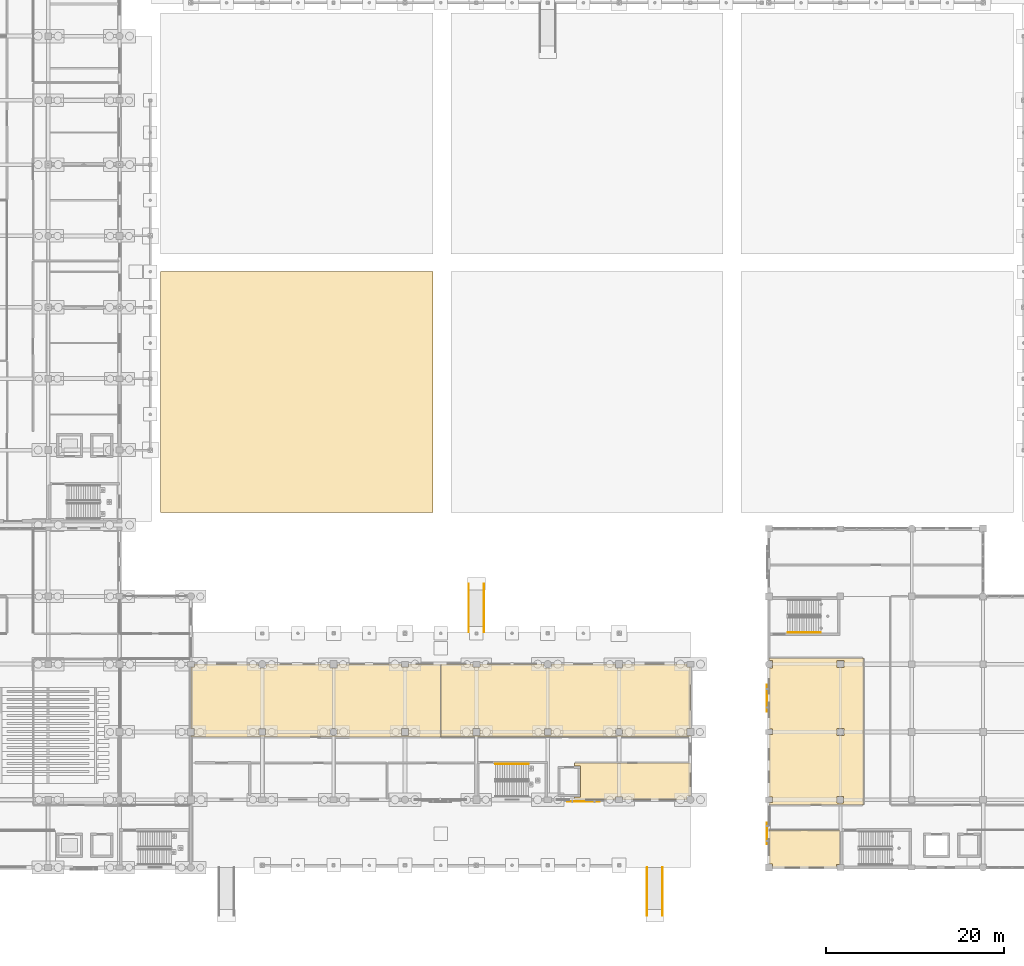
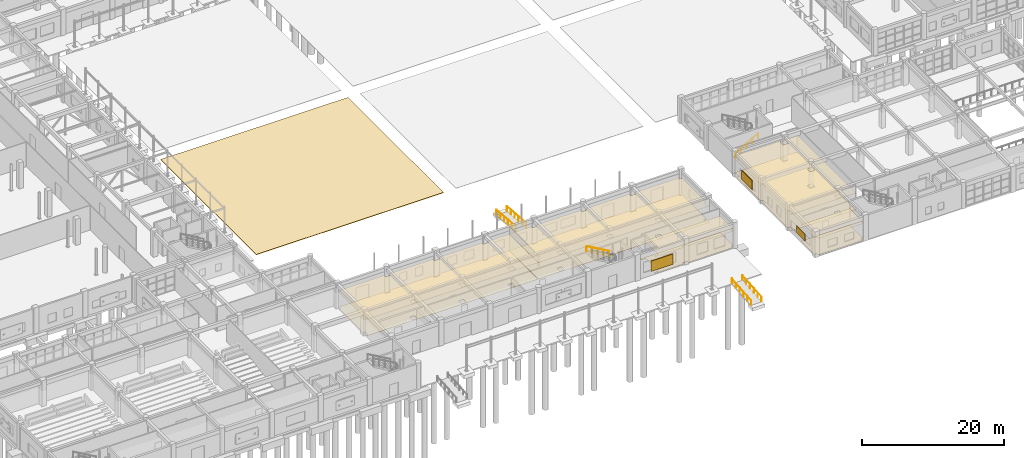
# One storey, part 156 of 166: 11 coverings, 6 railings, 3 shading devices.
"""IFC4 building model written with IfcOpenShell, lengths in metres."""

import ifcopenshell
import ifcopenshell.guid

model = None  # the IFC model being written
_history = None  # IfcOwnerHistory: only IFC2X3 demands one
_inside = {}  # id of a spatial element -> (the spatial element, [elements in it])
_under = {}  # id of a project, library or spatial element -> (it, [spatial elements below it])
_declared = {}  # id of a project -> (the project, [libraries it declares])
_typed = {}  # id of a type object -> (the type object, [elements of that type])
_made_of = {}  # id of a material, layer set ... -> (it, [elements and type objects made of it])


def new_model(schema):
    """Start an empty IFC model of exactly this schema.

    Asked for "IFC4X3", IfcOpenShell would pick the latest addendum, in which some entities
    have other attributes; the version numbers below select the first issue.
    IFC2X3 requires an IfcOwnerHistory on every rooted entity: one is made here for all.
    """
    global model, _history
    if schema == "IFC4X3":
        model = ifcopenshell.file(schema_version=(4, 3, 0, 0))
    else:
        model = ifcopenshell.file(schema=schema)
    _inside.clear()
    _under.clear()
    _declared.clear()
    _typed.clear()
    _made_of.clear()
    _history = None
    if model.schema == "IFC2X3":
        org = make("IfcOrganization", Name="unknown")
        user = make(
            "IfcPersonAndOrganization",
            ThePerson=make("IfcPerson", FamilyName="unknown"),
            TheOrganization=org,
        )
        app = make(
            "IfcApplication",
            ApplicationDeveloper=org,
            Version="unknown",
            ApplicationFullName="unknown",
            ApplicationIdentifier="unknown",
        )
        _history = make(
            "IfcOwnerHistory",
            OwningUser=user,
            OwningApplication=app,
            ChangeAction="ADDED",
            CreationDate=0,
        )
    return model


def make(cls, **values):
    """One entity of the class cls with the attributes given. An attribute that is None is left unset."""
    return model.create_entity(
        cls, **{name: value for name, value in values.items() if value is not None}
    )


def rooted(cls, **values):
    """An entity with a GlobalId (a new one), such as an element, a storey or a relation."""
    return make(cls, GlobalId=ifcopenshell.guid.new(), OwnerHistory=_history, **values)


def si_unit(unit_type, name, prefix=None):
    """IfcSIUnit, for example si_unit("LENGTHUNIT", "METRE", prefix="MILLI")."""
    return make("IfcSIUnit", UnitType=unit_type, Prefix=prefix, Name=name)


def assignment(units):
    """IfcUnitAssignment: the units of a project."""
    return None if units is None else make("IfcUnitAssignment", Units=units)


def point(xyz):
    """IfcCartesianPoint."""
    return None if xyz is None else make("IfcCartesianPoint", Coordinates=xyz)


def direction(xyz):
    """IfcDirection."""
    return None if xyz is None else make("IfcDirection", DirectionRatios=xyz)


def frame(location, z_axis=None, x_axis=None):
    """IfcAxis2Placement3D, a coordinate frame: its origin and axes. An axis left out is left unset."""
    return make(
        "IfcAxis2Placement3D",
        Location=point(location),
        Axis=direction(z_axis),
        RefDirection=direction(x_axis),
    )


def frame_2d(location, x_axis=None):
    """IfcAxis2Placement2D, a coordinate frame in the plane: its origin and x axis."""
    return make(
        "IfcAxis2Placement2D", Location=point(location), RefDirection=direction(x_axis)
    )


def origin():
    """The frame at (0, 0, 0) with its axes left unset."""
    return frame((0.0, 0.0, 0.0))


def origin_2d():
    """The frame at (0, 0) in the plane with its x axis left unset."""
    return frame_2d((0.0, 0.0))


def place(relative_to, where):
    """IfcLocalPlacement: puts the frame where relative to a parent placement (None: the world)."""
    return make(
        "IfcLocalPlacement", PlacementRelTo=relative_to, RelativePlacement=where
    )


def context(
    kind, dimensions, precision=None, world=None, true_north=None, identifier=None
):
    """IfcGeometricRepresentationContext, for example the 3D "Model" context."""
    return make(
        "IfcGeometricRepresentationContext",
        ContextIdentifier=identifier,
        ContextType=kind,
        CoordinateSpaceDimension=dimensions,
        Precision=precision,
        WorldCoordinateSystem=world,
        TrueNorth=true_north,
    )


def subcontext(parent, identifier, kind, view, scale=None):
    """IfcGeometricRepresentationSubContext, for example "Body" below "Model"."""
    return make(
        "IfcGeometricRepresentationSubContext",
        ContextIdentifier=identifier,
        ContextType=kind,
        ParentContext=parent,
        TargetScale=scale,
        TargetView=view,
    )


def project(units=None, contexts=None):
    """IfcProject with its units and contexts."""
    return rooted(
        "IfcProject",
        Name="project",
        RepresentationContexts=contexts,
        UnitsInContext=assignment(units),
    )


def spatial(cls, under=None, at=None, **own):
    """A site, building, storey or space (cls), placed at a placement, below another one or the project."""
    s = rooted(cls, ObjectPlacement=at, **own)
    if under is not None:
        _under.setdefault(under.id(), (under, []))[1].append(s)
    return s


def polyline(points):
    """IfcPolyline through the points."""
    return make("IfcPolyline", Points=[point(p) for p in points])


def profile(cls, at=None, kind="AREA", **sizes):
    """A parametric profile (cls). Its sizes go by their IFC names, for example OverallWidth=200.0."""
    return make(cls, ProfileType=kind, Position=at, **sizes)


def rectangle(**sizes):
    """IfcRectangleProfileDef."""
    return profile("IfcRectangleProfileDef", **sizes)


def circle(**sizes):
    """IfcCircleProfileDef."""
    return profile("IfcCircleProfileDef", **sizes)


def outline(outer, holes=None, kind="AREA"):
    """IfcArbitraryClosedProfileDef: a profile drawn as a closed curve; with holes, ...WithVoids."""
    if holes is None:
        return make("IfcArbitraryClosedProfileDef", ProfileType=kind, OuterCurve=outer)
    return make(
        "IfcArbitraryProfileDefWithVoids",
        ProfileType=kind,
        OuterCurve=outer,
        InnerCurves=holes,
    )


def extrude(swept, where, along, depth):
    """IfcExtrudedAreaSolid: the profile swept, set in the frame where, extruded along a direction by depth."""
    return make(
        "IfcExtrudedAreaSolid",
        SweptArea=swept,
        Position=where,
        ExtrudedDirection=direction(along),
        Depth=depth,
    )


def shape(context_of_items, identifier, shape_type, items):
    """IfcShapeRepresentation: the items that make up one representation, for example the "Body"."""
    return make(
        "IfcShapeRepresentation",
        ContextOfItems=context_of_items,
        RepresentationIdentifier=identifier,
        RepresentationType=shape_type,
        Items=items,
    )


def material(Name=None, Category=None):
    """IfcMaterial."""
    return make("IfcMaterial", Name=Name, Category=Category)


def layer(
    of_material, thickness, ventilated=None, Name=None, Category=None, Priority=None
):
    """IfcMaterialLayer: one layer of a wall or slab, of a material (None: an air gap)."""
    return make(
        "IfcMaterialLayer",
        Material=of_material,
        LayerThickness=thickness,
        IsVentilated=ventilated,
        Name=Name,
        Category=Category,
        Priority=Priority,
    )


def layer_set(layers, Name=None):
    """IfcMaterialLayerSet."""
    return make("IfcMaterialLayerSet", MaterialLayers=layers, LayerSetName=Name)


def made_of(thing, what):
    """Note that an element or type object is made of a material, layer set ...; save() writes the relation."""
    if what is not None:
        _made_of.setdefault(what.id(), (what, []))[1].append(thing)
    return thing


def type_object(cls, material=None, **own):
    """A type object (cls), such as IfcWallType, which elements share."""
    return made_of(rooted(cls, **own), material)


def element(
    cls,
    number,
    at=None,
    inside=None,
    cuts=None,
    type_object=None,
    material=None,
    context=None,
    identifier="Body",
    shape_type=None,
    held_by="IfcProductDefinitionShape",
    body=None,
    shapes=None,
    **own,
):
    """One element of the class cls, such as IfcWall. Its Tag is "e" and its number.

    at: its placement. inside: the storey or other place that contains it. cuts: it is an
    opening in that element (IfcRelVoidsElement). A single representation is given by context,
    identifier, shape_type and body (its items); several are given by shapes. held_by: the class
    of the entity that holds the representations. save() writes the other relations.
    """
    e = rooted(cls, Tag="e%d" % number, ObjectPlacement=at, **own)
    if body is not None:
        shapes = [shape(context, identifier, shape_type, body)]
    if shapes is not None:
        e.Representation = make(held_by, Representations=shapes)
    if inside is not None:
        _inside.setdefault(inside.id(), (inside, []))[1].append(e)
    if cuts is not None:
        rooted(
            "IfcRelVoidsElement", RelatingBuildingElement=cuts, RelatedOpeningElement=e
        )
    if type_object is not None:
        _typed.setdefault(type_object.id(), (type_object, []))[1].append(e)
    return made_of(e, material)


def aggregate(whole, parts):
    """IfcRelAggregates: a whole, such as a stair, and the parts it consists of."""
    return rooted("IfcRelAggregates", RelatingObject=whole, RelatedObjects=parts)


def save(model, path):
    """Write the relations noted so far, then the file.

    IfcRelAggregates (storeys below a building ...), IfcRelContainedInSpatialStructure (elements
    in a storey), IfcRelDefinesByType, IfcRelAssociatesMaterial and IfcRelDeclares: one each for
    every whole, place, type object, material and project.
    """
    for whole, parts in _under.values():
        aggregate(whole, parts)
    for where, things in _inside.values():
        rooted(
            "IfcRelContainedInSpatialStructure",
            RelatedElements=things,
            RelatingStructure=where,
        )
    for kind, things in _typed.values():
        rooted("IfcRelDefinesByType", RelatedObjects=things, RelatingType=kind)
    for what, things in _made_of.values():
        rooted("IfcRelAssociatesMaterial", RelatedObjects=things, RelatingMaterial=what)
    for by, libraries in _declared.values():
        rooted("IfcRelDeclares", RelatingContext=by, RelatedDefinitions=libraries)
    model.write(path)


model = new_model("IFC4")

# Units and contexts
model_context = context("Model", 3, precision=1e-05, world=origin(), true_north=direction((0.0, 1.0)))
body_context = subcontext(model_context, "Body", "Model", "MODEL_VIEW")
ifc_project = project(units=[si_unit("LENGTHUNIT", "METRE"), si_unit("AREAUNIT", "SQUARE_METRE"), si_unit("VOLUMEUNIT", "CUBIC_METRE"), si_unit("PLANEANGLEUNIT", "RADIAN"), si_unit("MASSUNIT", "GRAM", prefix="KILO")], contexts=[model_context])

# Site, building, storey
site_placement = place(None, origin())
site = spatial("IfcSite", under=ifc_project, at=site_placement, CompositionType="ELEMENT")
building_placement = place(site_placement, origin())
building = spatial("IfcBuilding", under=site, at=building_placement, Name="Kharva Crest Polytechnic", CompositionType="ELEMENT")
storey_placement = place(building_placement, origin())
storey = spatial("IfcBuildingStorey", under=building, at=storey_placement, Name="L00", CompositionType="ELEMENT", Elevation=0.0)

# Coverings
ifc_material_1 = material(Name="Acoustic mineral board")
ifc_layer_1 = layer(ifc_material_1, 0.02490234375, Name="Acoustic mineral board")
ifc_layer_set_1 = layer_set([ifc_layer_1], Name="Acoustic mineral board")
covering_type_1 = type_object("IfcCoveringType", Name="COV-CLG-ACOUSTIC", PredefinedType="CEILING", material=ifc_layer_set_1)
covering_1_placement = place(storey_placement, frame((0.0, 0.0, 2.85009765625)))
element("IfcCovering", 1, at=covering_1_placement, inside=storey, type_object=covering_type_1, Name="L00 Campus Reception Office Acoustic Ceiling", PredefinedType="CEILING", context=body_context, shape_type="SweptSolid", body=[
    extrude(outline(polyline([(104.39990234375, 7.909912109375), (103.60009765625, 7.909912109375), (103.60009765625, 7.60009765625), (99.0, 7.60009765625), (99.0, 7.89990234375), (99.699951171875, 7.89990234375), (99.699951171875, 11.39990234375), (99.0, 11.39990234375), (99.0, 11.739990234375), (112.0, 11.739990234375), (112.0, 8.010009765625), (111.590087890625, 8.010009765625), (111.590087890625, 7.60009765625), (104.39990234375, 7.60009765625), (104.39990234375, 7.909912109375)])), origin(), (0.0, 0.0, 1.0), 0.02490234375),
])
covering_2_placement = place(storey_placement, frame((0.0, 0.0, 2.85009765625)))
element("IfcCovering", 2, at=covering_2_placement, inside=storey, type_object=covering_type_1, Name="L00 Bursar and Student Services Office Acoustic Ceiling", PredefinedType="CEILING", context=body_context, shape_type="SweptSolid", body=[
    extrude(outline(polyline([(56.3798828125, 14.820068359375), (56.3798828125, 15.580078125), (56.010009765625, 15.580078125), (56.010009765625, 22.489990234375), (56.39990234375, 22.489990234375), (56.39990234375, 22.800048828125), (63.590087890625, 22.800048828125), (63.590087890625, 22.389892578125), (64.409912109375, 22.389892578125), (64.409912109375, 22.800048828125), (71.590087890625, 22.800048828125), (71.590087890625, 22.389892578125), (72.409912109375, 22.389892578125), (72.409912109375, 22.800048828125), (79.590087890625, 22.800048828125), (79.590087890625, 22.465087890625), (80.409912109375, 22.465087890625), (80.409912109375, 22.800048828125), (84.0, 22.800048828125), (84.0, 14.610107421875), (56.010009765625, 14.610107421875), (56.010009765625, 14.820068359375), (56.3798828125, 14.820068359375)]), holes=[polyline([(79.610107421875, 15.590087890625), (79.610107421875, 14.81005859375), (80.389892578125, 14.81005859375), (80.389892578125, 15.590087890625), (79.610107421875, 15.590087890625)]), polyline([(71.614990234375, 15.5849609375), (71.614990234375, 14.81494140625), (72.385009765625, 14.81494140625), (72.385009765625, 15.5849609375), (71.614990234375, 15.5849609375)]), polyline([(63.639892578125, 15.56005859375), (63.639892578125, 14.840087890625), (64.360107421875, 14.840087890625), (64.360107421875, 15.56005859375), (63.639892578125, 15.56005859375)])]), origin(), (0.0, 0.0, 1.0), 0.02490234375),
])
covering_3_placement = place(storey_placement, frame((0.0, 0.0, 2.85009765625)))
element("IfcCovering", 3, at=covering_3_placement, inside=storey, type_object=covering_type_1, Name="L00 Academic Examination Office Acoustic Ceiling", PredefinedType="CEILING", context=body_context, shape_type="SweptSolid", body=[
    extrude(outline(polyline([(87.60009765625, 22.800048828125), (87.60009765625, 22.489990234375), (88.39990234375, 22.489990234375), (88.39990234375, 22.800048828125), (95.590087890625, 22.800048828125), (95.590087890625, 22.389892578125), (96.409912109375, 22.389892578125), (96.409912109375, 22.800048828125), (103.590087890625, 22.800048828125), (103.590087890625, 22.389892578125), (104.409912109375, 22.389892578125), (104.409912109375, 22.800048828125), (111.590087890625, 22.800048828125), (111.590087890625, 22.465087890625), (112.0, 22.465087890625), (112.0, 15.610107421875), (111.590087890625, 15.610107421875), (111.590087890625, 14.7900390625), (112.0, 14.7900390625), (112.0, 14.610107421875), (84.010009765625, 14.610107421875), (84.010009765625, 22.800048828125), (87.60009765625, 22.800048828125)]), holes=[polyline([(95.639892578125, 15.56005859375), (95.639892578125, 14.840087890625), (96.360107421875, 14.840087890625), (96.360107421875, 15.56005859375), (95.639892578125, 15.56005859375)]), polyline([(87.6201171875, 15.580078125), (87.6201171875, 14.820068359375), (88.3798828125, 14.820068359375), (88.3798828125, 15.580078125), (87.6201171875, 15.580078125)]), polyline([(103.614990234375, 15.5849609375), (103.614990234375, 14.81494140625), (104.385009765625, 14.81494140625), (104.385009765625, 15.5849609375), (103.614990234375, 15.5849609375)])]), origin(), (0.0, 0.0, 1.0), 0.02490234375),
])
covering_4_placement = place(storey_placement, frame((0.0, 0.0, 2.85009765625)))
element("IfcCovering", 4, at=covering_4_placement, inside=storey, type_object=covering_type_1, Name="L00 Refectory Accessible WC Acoustic Ceiling", PredefinedType="CEILING", context=body_context, shape_type="SweptSolid", body=[
    extrude(outline(polyline([(121.2099609375, 0.409912109375), (120.800048828125, 0.409912109375), (120.800048828125, 4.18994140625), (128.75, 4.18994140625), (128.75, 0.3349609375), (128.389892578125, 0.3349609375), (128.389892578125, 0.0), (121.2099609375, 0.0), (121.2099609375, 0.409912109375)])), origin(), (0.0, 0.0, 1.0), 0.02490234375),
])
covering_5_placement = place(storey_placement, frame((0.0, 0.0, 2.85009765625)))
element("IfcCovering", 5, at=covering_5_placement, inside=storey, type_object=covering_type_1, Name="L00 Refectory Dining Hall Acoustic Ceiling", PredefinedType="CEILING", context=body_context, shape_type="SweptSolid", body=[
    extrude(outline(polyline([(120.800048828125, 7.264892578125), (121.2099609375, 7.264892578125), (121.2099609375, 7.93505859375), (120.800048828125, 7.93505859375), (120.800048828125, 14.889892578125), (121.199951171875, 14.889892578125), (121.199951171875, 15.510009765625), (120.800048828125, 15.510009765625), (120.800048828125, 22.389892578125), (121.2099609375, 22.389892578125), (121.2099609375, 23.2099609375), (120.800048828125, 23.2099609375), (120.800048828125, 23.489990234375), (131.389892578125, 23.489990234375), (131.389892578125, 7.010009765625), (120.800048828125, 7.010009765625), (120.800048828125, 7.264892578125)]), holes=[polyline([(128.43994140625, 7.9599609375), (128.43994140625, 7.239990234375), (129.159912109375, 7.239990234375), (129.159912109375, 7.9599609375), (128.43994140625, 7.9599609375)]), polyline([(128.4150390625, 15.5849609375), (128.4150390625, 14.81494140625), (129.18505859375, 14.81494140625), (129.18505859375, 15.5849609375), (128.4150390625, 15.5849609375)]), polyline([(129.18994140625, 23.18994140625), (128.409912109375, 23.18994140625), (128.409912109375, 22.409912109375), (129.18994140625, 22.409912109375), (129.18994140625, 23.18994140625)])]), origin(), (0.0, 0.0, 1.0), 0.02490234375),
])
ifc_material_2 = material(Name="Terrazzo tile")
ifc_layer_2 = layer(ifc_material_2, 0.02001953125, Name="Terrazzo tile")
ifc_layer_set_2 = layer_set([ifc_layer_2], Name="Terrazzo tile")
covering_type_2 = type_object("IfcCoveringType", Name="COV-FLR-TERRAZZO", PredefinedType="FLOORING", material=ifc_layer_set_2)
covering_6_placement = place(storey_placement, origin())
element("IfcCovering", 6, at=covering_6_placement, inside=storey, type_object=covering_type_2, Name="L00 Campus Reception Office Terrazzo Flooring", PredefinedType="FLOORING", context=body_context, shape_type="SweptSolid", body=[
    extrude(outline(polyline([(104.39990234375, 7.909912109375), (103.60009765625, 7.909912109375), (103.60009765625, 7.60009765625), (99.0, 7.60009765625), (99.0, 7.89990234375), (99.699951171875, 7.89990234375), (99.699951171875, 11.39990234375), (99.0, 11.39990234375), (99.0, 11.739990234375), (112.0, 11.739990234375), (112.0, 8.010009765625), (111.590087890625, 8.010009765625), (111.590087890625, 7.60009765625), (104.39990234375, 7.60009765625), (104.39990234375, 7.909912109375)])), origin(), (0.0, 0.0, 1.0), 0.02001953125),
])
covering_7_placement = place(storey_placement, origin())
element("IfcCovering", 7, at=covering_7_placement, inside=storey, type_object=covering_type_2, Name="L00 Bursar and Student Services Office Terrazzo Flooring", PredefinedType="FLOORING", context=body_context, shape_type="SweptSolid", body=[
    extrude(outline(polyline([(56.3798828125, 14.820068359375), (56.3798828125, 15.580078125), (56.010009765625, 15.580078125), (56.010009765625, 22.489990234375), (56.39990234375, 22.489990234375), (56.39990234375, 22.800048828125), (63.590087890625, 22.800048828125), (63.590087890625, 22.389892578125), (64.409912109375, 22.389892578125), (64.409912109375, 22.800048828125), (71.590087890625, 22.800048828125), (71.590087890625, 22.389892578125), (72.409912109375, 22.389892578125), (72.409912109375, 22.800048828125), (79.590087890625, 22.800048828125), (79.590087890625, 22.465087890625), (80.409912109375, 22.465087890625), (80.409912109375, 22.800048828125), (84.0, 22.800048828125), (84.0, 14.610107421875), (56.010009765625, 14.610107421875), (56.010009765625, 14.820068359375), (56.3798828125, 14.820068359375)]), holes=[polyline([(79.610107421875, 15.590087890625), (79.610107421875, 14.81005859375), (80.389892578125, 14.81005859375), (80.389892578125, 15.590087890625), (79.610107421875, 15.590087890625)]), polyline([(71.614990234375, 15.5849609375), (71.614990234375, 14.81494140625), (72.385009765625, 14.81494140625), (72.385009765625, 15.5849609375), (71.614990234375, 15.5849609375)]), polyline([(63.639892578125, 15.56005859375), (63.639892578125, 14.840087890625), (64.360107421875, 14.840087890625), (64.360107421875, 15.56005859375), (63.639892578125, 15.56005859375)])]), origin(), (0.0, 0.0, 1.0), 0.02001953125),
])
covering_8_placement = place(storey_placement, origin())
element("IfcCovering", 8, at=covering_8_placement, inside=storey, type_object=covering_type_2, Name="L00 Academic Examination Office Terrazzo Flooring", PredefinedType="FLOORING", context=body_context, shape_type="SweptSolid", body=[
    extrude(outline(polyline([(87.60009765625, 22.800048828125), (87.60009765625, 22.489990234375), (88.39990234375, 22.489990234375), (88.39990234375, 22.800048828125), (95.590087890625, 22.800048828125), (95.590087890625, 22.389892578125), (96.409912109375, 22.389892578125), (96.409912109375, 22.800048828125), (103.590087890625, 22.800048828125), (103.590087890625, 22.389892578125), (104.409912109375, 22.389892578125), (104.409912109375, 22.800048828125), (111.590087890625, 22.800048828125), (111.590087890625, 22.465087890625), (112.0, 22.465087890625), (112.0, 15.610107421875), (111.590087890625, 15.610107421875), (111.590087890625, 14.7900390625), (112.0, 14.7900390625), (112.0, 14.610107421875), (84.010009765625, 14.610107421875), (84.010009765625, 22.800048828125), (87.60009765625, 22.800048828125)]), holes=[polyline([(95.639892578125, 15.56005859375), (95.639892578125, 14.840087890625), (96.360107421875, 14.840087890625), (96.360107421875, 15.56005859375), (95.639892578125, 15.56005859375)]), polyline([(87.6201171875, 15.580078125), (87.6201171875, 14.820068359375), (88.3798828125, 14.820068359375), (88.3798828125, 15.580078125), (87.6201171875, 15.580078125)]), polyline([(103.614990234375, 15.5849609375), (103.614990234375, 14.81494140625), (104.385009765625, 14.81494140625), (104.385009765625, 15.5849609375), (103.614990234375, 15.5849609375)])]), origin(), (0.0, 0.0, 1.0), 0.02001953125),
])
covering_9_placement = place(storey_placement, origin())
element("IfcCovering", 9, at=covering_9_placement, inside=storey, type_object=covering_type_2, Name="L00 Refectory Accessible WC Terrazzo Flooring", PredefinedType="FLOORING", context=body_context, shape_type="SweptSolid", body=[
    extrude(outline(polyline([(121.2099609375, 0.409912109375), (120.800048828125, 0.409912109375), (120.800048828125, 4.18994140625), (128.75, 4.18994140625), (128.75, 0.3349609375), (128.389892578125, 0.3349609375), (128.389892578125, 0.0), (121.2099609375, 0.0), (121.2099609375, 0.409912109375)])), origin(), (0.0, 0.0, 1.0), 0.02001953125),
])
covering_10_placement = place(storey_placement, origin())
element("IfcCovering", 10, at=covering_10_placement, inside=storey, type_object=covering_type_2, Name="L00 Refectory Dining Hall Terrazzo Flooring", PredefinedType="FLOORING", context=body_context, shape_type="SweptSolid", body=[
    extrude(outline(polyline([(120.800048828125, 7.264892578125), (121.2099609375, 7.264892578125), (121.2099609375, 7.93505859375), (120.800048828125, 7.93505859375), (120.800048828125, 14.889892578125), (121.199951171875, 14.889892578125), (121.199951171875, 15.510009765625), (120.800048828125, 15.510009765625), (120.800048828125, 22.389892578125), (121.2099609375, 22.389892578125), (121.2099609375, 23.2099609375), (120.800048828125, 23.2099609375), (120.800048828125, 23.489990234375), (131.389892578125, 23.489990234375), (131.389892578125, 7.010009765625), (120.800048828125, 7.010009765625), (120.800048828125, 7.264892578125)]), holes=[polyline([(128.43994140625, 7.9599609375), (128.43994140625, 7.239990234375), (129.159912109375, 7.239990234375), (129.159912109375, 7.9599609375), (128.43994140625, 7.9599609375)]), polyline([(128.4150390625, 15.5849609375), (128.4150390625, 14.81494140625), (129.18505859375, 14.81494140625), (129.18505859375, 15.5849609375), (128.4150390625, 15.5849609375)]), polyline([(129.18994140625, 23.18994140625), (128.409912109375, 23.18994140625), (128.409912109375, 22.409912109375), (129.18994140625, 22.409912109375), (129.18994140625, 23.18994140625)])]), origin(), (0.0, 0.0, 1.0), 0.02001953125),
])
ifc_layer_3 = layer(ifc_material_2, 0.080078125, Name="Terrazzo tile")
ifc_layer_set_3 = layer_set([ifc_layer_3], Name="Terrazzo tile")
covering_type_3 = type_object("IfcCoveringType", Name="COV-SITE-GRAVEL", PredefinedType="USERDEFINED", material=ifc_layer_set_3)
covering_11_placement = place(storey_placement, frame((0.0, 0.0, -0.080078125)))
element("IfcCovering", 11, at=covering_11_placement, inside=storey, type_object=covering_type_3, Name="L00 Courtyard Gravel Paving Court 1", ObjectType="PAVING", PredefinedType="USERDEFINED", context=body_context, shape_type="SweptSolid", body=[
    extrude(outline(polyline([(52.60009765625, 39.800048828125), (83.133056640625, 39.800048828125), (83.133056640625, 66.800048828125), (52.60009765625, 66.800048828125), (52.60009765625, 39.800048828125)])), origin(), (0.0, 0.0, 1.0), 0.080078125),
])

# Railings
ifc_material_3 = material(Name="Teak timber", Category="wood")
railing_type = type_object("IfcRailingType", Name="RL-STAIR-HAND-900", PredefinedType="HANDRAIL", material=ifc_material_3)
railing_1_placement = place(storey_placement, frame((122.89990234375, 26.340087890625, 0.14990234375)))
element("IfcRailing", 12, at=railing_1_placement, inside=storey, type_object=railing_type, Name="L00 ST-07 stair handrail 1", PredefinedType="HANDRAIL", context=body_context, shape_type="SweptSolid", body=[
    extrude(circle(Radius=0.02392578125, at=origin_2d()), frame((0.0, 0.0, 0.8759765625), z_axis=(0.870258707807, 0.0, 0.492594946671), x_axis=(0.0, 1.0, 0.0)), (0.0, 0.0, 1.0), 4.263427734375),
    extrude(circle(Radius=0.02099609375, at=origin_2d()), origin(), (0.0, 0.0, 1.0), 0.851806640625),
    extrude(circle(Radius=0.02099609375, at=origin_2d()), frame((0.927490234375, 0.0, 0.52490234375)), (0.0, 0.0, 1.0), 0.851806640625),
    extrude(circle(Radius=0.02099609375, at=origin_2d()), frame((1.85498046875, 0.0, 1.050048828125)), (0.0, 0.0, 1.0), 0.851806640625),
    extrude(circle(Radius=0.02099609375, at=origin_2d()), frame((2.78271484375, 0.0, 1.5751953125)), (0.0, 0.0, 1.0), 0.851806640625),
    extrude(circle(Radius=0.02099609375, at=origin_2d()), frame((3.710205078125, 0.0, 2.10009765625)), (0.0, 0.0, 1.0), 0.851806640625),
])
railing_2_placement = place(storey_placement, frame((93.830078125, 11.610107421875, 2.39990234375)))
element("IfcRailing", 13, at=railing_2_placement, inside=storey, type_object=railing_type, Name="L00 ST-08 stair handrail 2", PredefinedType="HANDRAIL", context=body_context, shape_type="SweptSolid", body=[
    extrude(circle(Radius=0.02392578125, at=origin_2d()), frame((0.0, 0.0, 0.8759765625), z_axis=(-0.870244811389, 0.0, 0.492619496418), x_axis=(0.0, -1.0, 0.0)), (0.0, 0.0, 1.0), 4.26318359375),
    extrude(circle(Radius=0.02099609375, at=origin_2d()), origin(), (0.0, 0.0, 1.0), 0.851806640625),
    extrude(circle(Radius=0.02099609375, at=origin_2d()), frame((-0.927490234375, 0.0, 0.52490234375)), (0.0, 0.0, 1.0), 0.851806640625),
    extrude(circle(Radius=0.02099609375, at=origin_2d()), frame((-1.85498046875, 0.0, 1.050048828125)), (0.0, 0.0, 1.0), 0.851806640625),
    extrude(circle(Radius=0.02099609375, at=origin_2d()), frame((-2.782470703125, 0.0, 1.5751953125)), (0.0, 0.0, 1.0), 0.851806640625),
    extrude(circle(Radius=0.02099609375, at=origin_2d()), frame((-3.7099609375, 0.0, 2.10009765625)), (0.0, 0.0, 1.0), 0.851806640625),
])
for number, where, name in (
    (14, (107.14990234375, -5.39990234375, -0.449951171875), "South Street East Accessible Ramp Handrail L"),
    (15, (108.85009765625, -5.39990234375, -0.449951171875), "South Street East Accessible Ramp Handrail R"),
):
    element("IfcRailing", number, at=place(storey_placement, frame(where)), inside=storey, type_object=railing_type, Name=name, PredefinedType="HANDRAIL", context=body_context, shape_type="SweptSolid", body=[
        extrude(circle(Radius=0.02392578125, at=origin_2d()), frame((0.0, 0.0, 0.8759765625), z_axis=(0.0, 0.996546379678, 0.083038022323), x_axis=(-1.0, 0.0, 0.0)), (0.0, 0.0, 1.0), 5.418701171875),
        extrude(circle(Radius=0.02099609375, at=origin_2d()), origin(), (0.0, 0.0, 1.0), 0.851806640625),
        extrude(circle(Radius=0.02099609375, at=origin_2d()), frame((0.0, 1.080078125, 0.090087890625)), (0.0, 0.0, 1.0), 0.851806640625),
        extrude(circle(Radius=0.02099609375, at=origin_2d()), frame((0.0, 2.159912109375, 0.179931640625)), (0.0, 0.0, 1.0), 0.851806640625),
        extrude(circle(Radius=0.02099609375, at=origin_2d()), frame((0.0, 3.239990234375, 0.27001953125)), (0.0, 0.0, 1.0), 0.851806640625),
        extrude(circle(Radius=0.02099609375, at=origin_2d()), frame((0.0, 4.31982421875, 0.35986328125)), (0.0, 0.0, 1.0), 0.851806640625),
        extrude(circle(Radius=0.02099609375, at=origin_2d()), frame((0.0, 5.39990234375, 0.449951171875)), (0.0, 0.0, 1.0), 0.851806640625),
    ])
for number, where, name in (
    (16, (88.85009765625, 31.800048828125, -0.449951171875), "Courtyard South Veranda Accessible Ramp Handrail L"),
    (17, (87.14990234375, 31.800048828125, -0.449951171875), "Courtyard South Veranda Accessible Ramp Handrail R"),
):
    element("IfcRailing", number, at=place(storey_placement, frame(where)), inside=storey, type_object=railing_type, Name=name, PredefinedType="HANDRAIL", context=body_context, shape_type="SweptSolid", body=[
        extrude(circle(Radius=0.02392578125, at=origin_2d()), frame((0.0, 0.0, 0.8759765625), z_axis=(0.0, -0.996546690331, 0.083034294059), x_axis=(1.0, 0.0, 0.0)), (0.0, 0.0, 1.0), 5.4189453125),
        extrude(circle(Radius=0.02099609375, at=origin_2d()), origin(), (0.0, 0.0, 1.0), 0.851806640625),
        extrude(circle(Radius=0.02099609375, at=origin_2d()), frame((0.0, -1.080078125, 0.090087890625)), (0.0, 0.0, 1.0), 0.851806640625),
        extrude(circle(Radius=0.02099609375, at=origin_2d()), frame((0.0, -2.16015625, 0.179931640625)), (0.0, 0.0, 1.0), 0.851806640625),
        extrude(circle(Radius=0.02099609375, at=origin_2d()), frame((0.0, -3.239990234375, 0.27001953125)), (0.0, 0.0, 1.0), 0.851806640625),
        extrude(circle(Radius=0.02099609375, at=origin_2d()), frame((0.0, -4.320068359375, 0.35986328125)), (0.0, 0.0, 1.0), 0.851806640625),
        extrude(circle(Radius=0.02099609375, at=origin_2d()), frame((0.0, -5.400146484375, 0.449951171875)), (0.0, 0.0, 1.0), 0.851806640625),
    ])

# Shading devices
ifc_material_4 = material(Name="Perforated terracotta", Category="masonry")
shading_device_type_1 = type_object("IfcShadingDeviceType", Name="SHD-JAALI-3000X1600", PredefinedType="USERDEFINED", material=ifc_material_4)
shading_device_1_placement = place(storey_placement, frame((120.572021484375, 18.9794921875, 0.849853515625), z_axis=(0.0, 0.0, 1.0), x_axis=(0.0, 1.0, 0.0)))
element("IfcShadingDevice", 18, at=shading_device_1_placement, inside=storey, type_object=shading_device_type_1, Name="L00 Terracotta Jaali Solar Screen 10", ObjectType="LOUVRE", PredefinedType="USERDEFINED", context=body_context, shape_type="SweptSolid", body=[
    extrude(rectangle(XDim=3.0, YDim=0.080078125, at=origin_2d()), origin(), (0.0, 0.0, 1.0), 1.60009765625),
])
shading_device_type_2 = type_object("IfcShadingDeviceType", Name="SHD-JAALI-3600X1800", PredefinedType="USERDEFINED", material=ifc_material_4)
shading_device_2_placement = place(storey_placement, frame((100.0048828125, 7.409423828125, 0.75), z_axis=(0.0, 0.0, 1.0), x_axis=(1.0, 0.0, 0.0)))
element("IfcShadingDevice", 19, at=shading_device_2_placement, inside=storey, type_object=shading_device_type_2, Name="L00 Terracotta Jaali Solar Screen 6", ObjectType="LOUVRE", PredefinedType="USERDEFINED", context=body_context, shape_type="SweptSolid", body=[
    extrude(rectangle(XDim=3.60009765625, YDim=0.080078125, at=origin_2d()), origin(), (0.0, 0.0, 1.0), 1.800048828125),
])
shading_device_type_3 = type_object("IfcShadingDeviceType", Name="SHD-LOUVRE-2400X1200", PredefinedType="USERDEFINED", material=ifc_material_4)
shading_device_3_placement = place(storey_placement, frame((120.576904296875, 3.83740234375, 1.0498046875), z_axis=(0.0, 0.0, 1.0), x_axis=(0.0, 1.0, 0.0)))
element("IfcShadingDevice", 20, at=shading_device_3_placement, inside=storey, type_object=shading_device_type_3, Name="L00 Terracotta Jaali Solar Screen 11", ObjectType="LOUVRE", PredefinedType="USERDEFINED", context=body_context, shape_type="SweptSolid", body=[
    extrude(rectangle(XDim=2.39990234375, YDim=0.10009765625, at=origin_2d()), origin(), (0.0, 0.0, 1.0), 1.199951171875),
])

save(model, "model.ifc")
